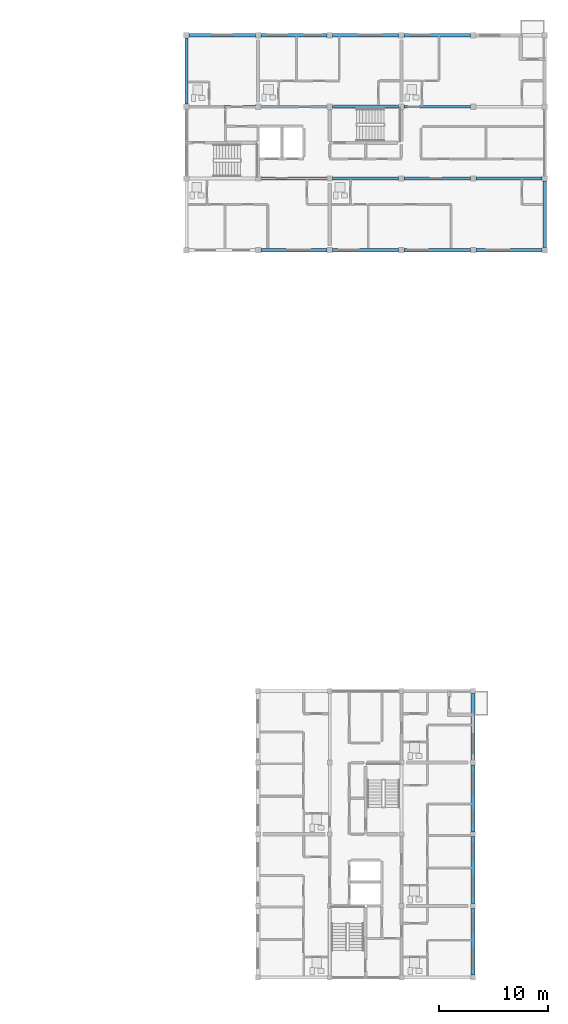
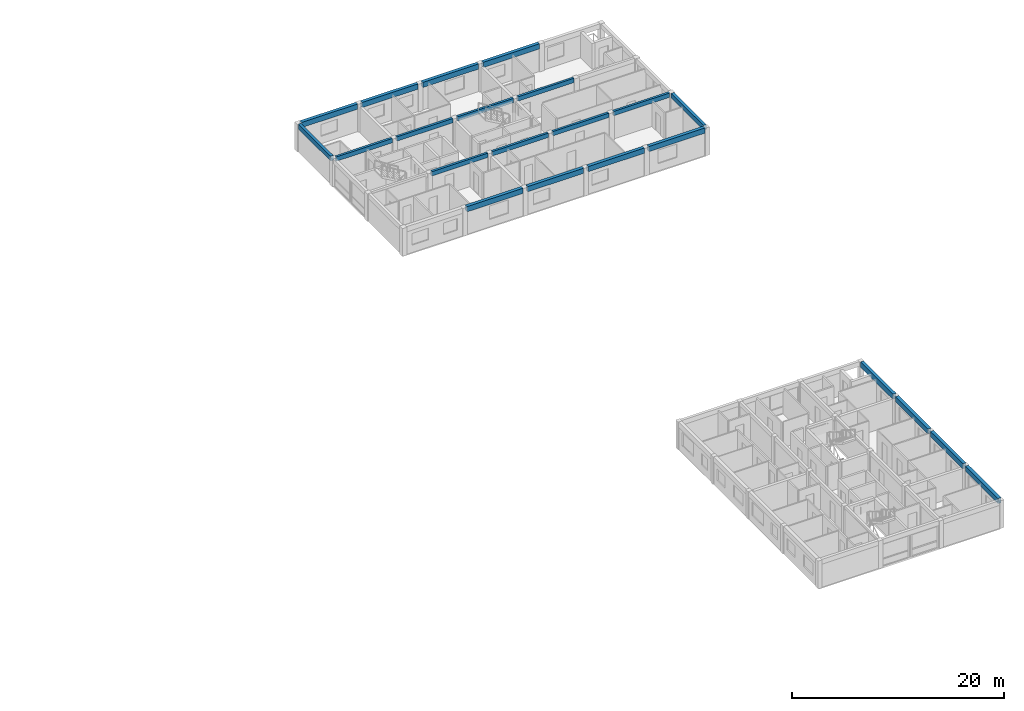
# One storey, part 20 of 45: 22 beams.
"""IFC4 building model written with IfcOpenShell, lengths in metres."""

from ifc_helpers import new_model, si_unit, direction, frame, origin, origin_2d, place, context, subcontext, project, spatial, rectangle, extrude, material, material_profile, profile_set, type_object, element, save


model = new_model("IFC4")

# Units and contexts
model_context = context("Model", 3, precision=1e-05, world=origin(), true_north=direction((0.0, 1.0)))
body_context = subcontext(model_context, "Body", "Model", "MODEL_VIEW")
ifc_project = project(units=[si_unit("LENGTHUNIT", "METRE"), si_unit("AREAUNIT", "SQUARE_METRE"), si_unit("VOLUMEUNIT", "CUBIC_METRE"), si_unit("PLANEANGLEUNIT", "RADIAN"), si_unit("MASSUNIT", "GRAM", prefix="KILO")], contexts=[model_context])

# Site, building, storey
site_placement = place(None, origin())
site = spatial("IfcSite", under=ifc_project, at=site_placement, CompositionType="ELEMENT")
building_placement = place(site_placement, origin())
building = spatial("IfcBuilding", under=site, at=building_placement, Name="Kernevlak Ridge Housing Community", CompositionType="ELEMENT")
storey_placement = place(building_placement, frame((0.0, 0.0, 14.800048828125)))
storey = spatial("IfcBuildingStorey", under=building, at=storey_placement, Name="L04", CompositionType="ELEMENT", Elevation=14.800048828125)

# Beams
ifc_material = material(Name="Concrete C35/45", Category="concrete")
ifc_material_profile_1 = material_profile(ifc_material, rectangle(XDim=0.25, YDim=0.5, at=origin_2d()), Name="RC 250x500")
ifc_profile_set_1 = profile_set([ifc_material_profile_1], Name="Concrete C35/45")
beam_type_1 = type_object("IfcBeamType", Name="B-06", PredefinedType="T_BEAM", material=ifc_profile_set_1)
beam_1_placement = place(storey_placement, frame((126.25, 89.199951171875, 2.949951171875), z_axis=(1.0, 0.0, 0.0), x_axis=(0.0, 1.0, 0.0)))
element("IfcBeam", 1, at=beam_1_placement, inside=storey, type_object=beam_type_1, Name="Beam B-06 L04 687", PredefinedType="T_BEAM", context=body_context, shape_type="SweptSolid", body=[
    extrude(rectangle(XDim=0.25, YDim=0.5, at=origin_2d()), origin(), (0.0, 0.0, 1.0), 6.10009765625),
])
beam_2_placement = place(storey_placement, frame((132.85009765625, 89.199951171875, 2.949951171875), z_axis=(1.0, 0.0, 0.0), x_axis=(0.0, 1.0, 0.0)))
element("IfcBeam", 2, at=beam_2_placement, inside=storey, type_object=beam_type_1, Name="Beam B-06 L04 688", PredefinedType="T_BEAM", context=body_context, shape_type="SweptSolid", body=[
    extrude(rectangle(XDim=0.25, YDim=0.5, at=origin_2d()), origin(), (0.0, 0.0, 1.0), 6.099853515625),
])
beam_3_placement = place(storey_placement, frame((139.449951171875, 89.199951171875, 2.949951171875), z_axis=(1.0, 0.0, 0.0), x_axis=(0.0, 1.0, 0.0)))
element("IfcBeam", 3, at=beam_3_placement, inside=storey, type_object=beam_type_1, Name="Beam B-06 L04 689", PredefinedType="T_BEAM", context=body_context, shape_type="SweptSolid", body=[
    extrude(rectangle(XDim=0.25, YDim=0.5, at=origin_2d()), origin(), (0.0, 0.0, 1.0), 6.10009765625),
])
beam_4_placement = place(storey_placement, frame((146.050048828125, 89.199951171875, 2.949951171875), z_axis=(1.0, 0.0, 0.0), x_axis=(0.0, 1.0, 0.0)))
element("IfcBeam", 4, at=beam_4_placement, inside=storey, type_object=beam_type_1, Name="Beam B-06 L04 690", PredefinedType="T_BEAM", context=body_context, shape_type="SweptSolid", body=[
    extrude(rectangle(XDim=0.25, YDim=0.5, at=origin_2d()), origin(), (0.0, 0.0, 1.0), 6.099853515625),
])
for number, where, z_axis, x_axis, name in (
    (5, (119.64990234375, 95.800048828125, 2.949951171875), (1.0, 0.0, 0.0), (0.0, 1.0, 0.0), "Beam B-06 L04 691"),
    (6, (126.25, 95.800048828125, 2.949951171875), (1.0, 0.0, 0.0), (0.0, 1.0, 0.0), "Beam B-06 L04 692"),
):
    element("IfcBeam", number, at=place(storey_placement, frame(where, z_axis=z_axis, x_axis=x_axis)), inside=storey, type_object=beam_type_1, Name=name, PredefinedType="T_BEAM", context=body_context, shape_type="SweptSolid", body=[
        extrude(rectangle(XDim=0.25, YDim=0.5, at=origin_2d()), origin(), (0.0, 0.0, 1.0), 6.10009765625),
    ])
beam_5_placement = place(storey_placement, frame((132.85009765625, 95.800048828125, 2.949951171875), z_axis=(1.0, 0.0, 0.0), x_axis=(0.0, 1.0, 0.0)))
element("IfcBeam", 7, at=beam_5_placement, inside=storey, type_object=beam_type_1, Name="Beam B-06 L04 693", PredefinedType="T_BEAM", context=body_context, shape_type="SweptSolid", body=[
    extrude(rectangle(XDim=0.25, YDim=0.5, at=origin_2d()), origin(), (0.0, 0.0, 1.0), 6.099853515625),
])
beam_6_placement = place(storey_placement, frame((139.449951171875, 95.800048828125, 2.949951171875), z_axis=(1.0, 0.0, 0.0), x_axis=(0.0, 1.0, 0.0)))
element("IfcBeam", 8, at=beam_6_placement, inside=storey, type_object=beam_type_1, Name="Beam B-06 L04 694", PredefinedType="T_BEAM", context=body_context, shape_type="SweptSolid", body=[
    extrude(rectangle(XDim=0.25, YDim=0.5, at=origin_2d()), origin(), (0.0, 0.0, 1.0), 6.10009765625),
])
ifc_material_profile_2 = material_profile(ifc_material, rectangle(XDim=0.300048828125, YDim=0.550048828125, at=origin_2d()), Name="RC 300x550")
ifc_profile_set_2 = profile_set([ifc_material_profile_2], Name="Concrete C35/45")
beam_type_2 = type_object("IfcBeamType", Name="SP-01", PredefinedType="SPANDREL", material=ifc_profile_set_2)
for number, where, z_axis, x_axis, name in (
    (9, (119.39990234375, 96.050048828125, 2.925048828125), (0.0, 1.0, 0.0), (-1.0, 0.0, 0.0), "Beam SP-01 L04 703"),
    (10, (152.39990234375, 82.85009765625, 2.925048828125), (0.0, 1.0, 0.0), (-1.0, 0.0, 0.0), "Beam SP-01 L04 704"),
):
    element("IfcBeam", number, at=place(storey_placement, frame(where, z_axis=z_axis, x_axis=x_axis)), inside=storey, type_object=beam_type_2, Name=name, PredefinedType="SPANDREL", context=body_context, shape_type="SweptSolid", body=[
        extrude(rectangle(XDim=0.300048828125, YDim=0.550048828125, at=origin_2d()), origin(), (0.0, 0.0, 1.0), 6.099853515625),
    ])
ifc_material_profile_3 = material_profile(ifc_material, rectangle(XDim=0.35009765625, YDim=0.60009765625, at=origin_2d()), Name="RC 350x600")
ifc_profile_set_3 = profile_set([ifc_material_profile_3], Name="Concrete C35/45")
beam_type_3 = type_object("IfcBeamType", Name="SP-03", PredefinedType="SPANDREL", material=ifc_profile_set_3)
beam_7_placement = place(storey_placement, frame((126.25, 82.60009765625, 2.89990234375), z_axis=(1.0, 0.0, 0.0), x_axis=(0.0, 1.0, 0.0)))
element("IfcBeam", 11, at=beam_7_placement, inside=storey, type_object=beam_type_3, Name="Beam SP-03 L04 682", PredefinedType="SPANDREL", context=body_context, shape_type="SweptSolid", body=[
    extrude(rectangle(XDim=0.35009765625, YDim=0.60009765625, at=origin_2d()), origin(), (0.0, 0.0, 1.0), 6.10009765625),
])
beam_8_placement = place(storey_placement, frame((132.85009765625, 82.60009765625, 2.89990234375), z_axis=(1.0, 0.0, 0.0), x_axis=(0.0, 1.0, 0.0)))
element("IfcBeam", 12, at=beam_8_placement, inside=storey, type_object=beam_type_3, Name="Beam SP-03 L04 683", PredefinedType="SPANDREL", context=body_context, shape_type="SweptSolid", body=[
    extrude(rectangle(XDim=0.35009765625, YDim=0.60009765625, at=origin_2d()), origin(), (0.0, 0.0, 1.0), 6.099853515625),
])
beam_9_placement = place(storey_placement, frame((139.449951171875, 82.60009765625, 2.89990234375), z_axis=(1.0, 0.0, 0.0), x_axis=(0.0, 1.0, 0.0)))
element("IfcBeam", 13, at=beam_9_placement, inside=storey, type_object=beam_type_3, Name="Beam SP-03 L04 684", PredefinedType="SPANDREL", context=body_context, shape_type="SweptSolid", body=[
    extrude(rectangle(XDim=0.35009765625, YDim=0.60009765625, at=origin_2d()), origin(), (0.0, 0.0, 1.0), 6.10009765625),
])
beam_10_placement = place(storey_placement, frame((146.050048828125, 82.60009765625, 2.89990234375), z_axis=(1.0, 0.0, 0.0), x_axis=(0.0, 1.0, 0.0)))
element("IfcBeam", 14, at=beam_10_placement, inside=storey, type_object=beam_type_3, Name="Beam SP-03 L04 685", PredefinedType="SPANDREL", context=body_context, shape_type="SweptSolid", body=[
    extrude(rectangle(XDim=0.35009765625, YDim=0.60009765625, at=origin_2d()), origin(), (0.0, 0.0, 1.0), 6.099853515625),
])
for number, where, z_axis, x_axis, name in (
    (15, (119.64990234375, 102.39990234375, 2.89990234375), (1.0, 0.0, 0.0), (0.0, 1.0, 0.0), "Beam SP-03 L04 696"),
    (16, (126.25, 102.39990234375, 2.89990234375), (1.0, 0.0, 0.0), (0.0, 1.0, 0.0), "Beam SP-03 L04 697"),
):
    element("IfcBeam", number, at=place(storey_placement, frame(where, z_axis=z_axis, x_axis=x_axis)), inside=storey, type_object=beam_type_3, Name=name, PredefinedType="SPANDREL", context=body_context, shape_type="SweptSolid", body=[
        extrude(rectangle(XDim=0.35009765625, YDim=0.60009765625, at=origin_2d()), origin(), (0.0, 0.0, 1.0), 6.10009765625),
    ])
beam_11_placement = place(storey_placement, frame((132.85009765625, 102.39990234375, 2.89990234375), z_axis=(1.0, 0.0, 0.0), x_axis=(0.0, 1.0, 0.0)))
element("IfcBeam", 17, at=beam_11_placement, inside=storey, type_object=beam_type_3, Name="Beam SP-03 L04 698", PredefinedType="SPANDREL", context=body_context, shape_type="SweptSolid", body=[
    extrude(rectangle(XDim=0.35009765625, YDim=0.60009765625, at=origin_2d()), origin(), (0.0, 0.0, 1.0), 6.099853515625),
])
beam_12_placement = place(storey_placement, frame((139.449951171875, 102.39990234375, 2.89990234375), z_axis=(1.0, 0.0, 0.0), x_axis=(0.0, 1.0, 0.0)))
element("IfcBeam", 18, at=beam_12_placement, inside=storey, type_object=beam_type_3, Name="Beam SP-03 L04 699", PredefinedType="SPANDREL", context=body_context, shape_type="SweptSolid", body=[
    extrude(rectangle(XDim=0.35009765625, YDim=0.60009765625, at=origin_2d()), origin(), (0.0, 0.0, 1.0), 6.10009765625),
])
beam_13_placement = place(storey_placement, frame((145.800048828125, 15.824951171875, 2.89990234375), z_axis=(0.0, 1.0, 0.0), x_axis=(-1.0, 0.0, 0.0)))
element("IfcBeam", 19, at=beam_13_placement, inside=storey, type_object=beam_type_3, Name="Beam SP-03 L04 1102", PredefinedType="SPANDREL", context=body_context, shape_type="SweptSolid", body=[
    extrude(rectangle(XDim=0.35009765625, YDim=0.60009765625, at=origin_2d()), origin(), (0.0, 0.0, 1.0), 6.150146484375),
])
beam_14_placement = place(storey_placement, frame((145.800048828125, 22.425048828125, 2.89990234375), z_axis=(0.0, 1.0, 0.0), x_axis=(-1.0, 0.0, 0.0)))
element("IfcBeam", 20, at=beam_14_placement, inside=storey, type_object=beam_type_3, Name="Beam SP-03 L04 1103", PredefinedType="SPANDREL", context=body_context, shape_type="SweptSolid", body=[
    extrude(rectangle(XDim=0.35009765625, YDim=0.60009765625, at=origin_2d()), origin(), (0.0, 0.0, 1.0), 6.14990234375),
])
beam_15_placement = place(storey_placement, frame((145.800048828125, 29.02490234375, 2.89990234375), z_axis=(0.0, 1.0, 0.0), x_axis=(-1.0, 0.0, 0.0)))
element("IfcBeam", 21, at=beam_15_placement, inside=storey, type_object=beam_type_3, Name="Beam SP-03 L04 1104", PredefinedType="SPANDREL", context=body_context, shape_type="SweptSolid", body=[
    extrude(rectangle(XDim=0.35009765625, YDim=0.60009765625, at=origin_2d()), origin(), (0.0, 0.0, 1.0), 6.150146484375),
])
beam_16_placement = place(storey_placement, frame((145.800048828125, 35.625, 2.89990234375), z_axis=(0.0, 1.0, 0.0), x_axis=(-1.0, 0.0, 0.0)))
element("IfcBeam", 22, at=beam_16_placement, inside=storey, type_object=beam_type_3, Name="Beam SP-03 L04 1105", PredefinedType="SPANDREL", context=body_context, shape_type="SweptSolid", body=[
    extrude(rectangle(XDim=0.35009765625, YDim=0.60009765625, at=origin_2d()), origin(), (0.0, 0.0, 1.0), 6.14990234375),
])

save(model, "model.ifc")
